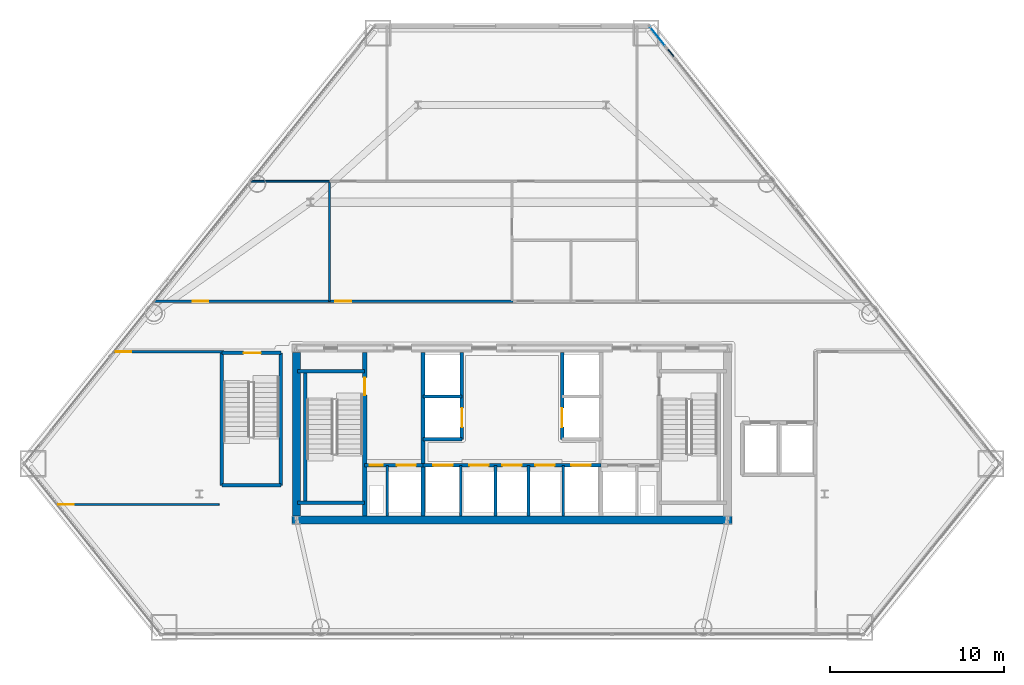
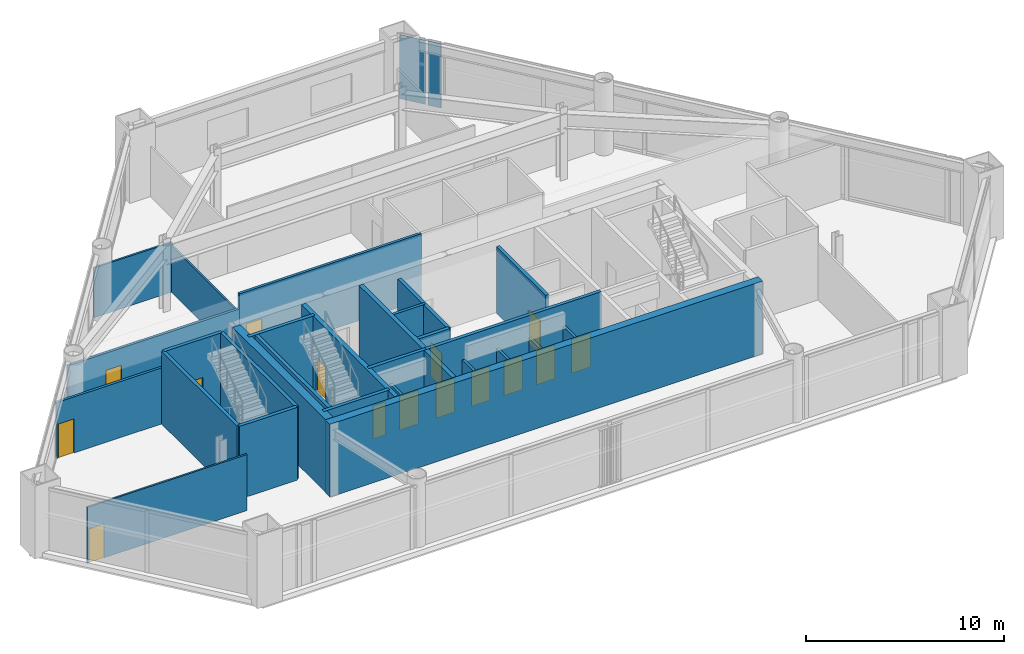
# One storey, part 8 of 13: 28 walls, 15 doors, 2 plates, 15 openings, 2 elements without a shape of their own.
"""IFC4 building model written with IfcOpenShell, lengths in metres."""

from ifc_helpers import new_model, si_unit, direction, frame, frame_2d, origin, origin_2d, place, context, subcontext, project, spatial, rectangle, extrude, source, transform, mapped, material, layer, layer_set, type_object, type_shapes, element, fill, aggregate, save


model = new_model("IFC4")

# Units and contexts
model_context = context("Model", 3, precision=1e-05, world=origin(), true_north=direction((0.0, 1.0)))
body_context = subcontext(model_context, "Body", "Model", "MODEL_VIEW")
ifc_project = project(units=[si_unit("LENGTHUNIT", "METRE"), si_unit("AREAUNIT", "SQUARE_METRE"), si_unit("VOLUMEUNIT", "CUBIC_METRE"), si_unit("PLANEANGLEUNIT", "RADIAN"), si_unit("MASSUNIT", "GRAM", prefix="KILO")], contexts=[model_context])

# Site, building, storey
site_placement = place(None, origin())
site = spatial("IfcSite", under=ifc_project, at=site_placement, CompositionType="ELEMENT")
building_placement = place(site_placement, origin())
building = spatial("IfcBuilding", under=site, at=building_placement, Name="Talgorran Terracotta Tower", CompositionType="ELEMENT")
storey_placement = place(building_placement, frame((0.0, 0.0, 14.39990234375)))
storey = spatial("IfcBuildingStorey", under=building, at=storey_placement, Name="L03", CompositionType="ELEMENT", Elevation=14.39990234375)

# Curtain wall, plate
ifc_material_1 = material(Name="Terracotta and Low-E Glazing", Category="masonry")
ifc_layer_1 = layer(ifc_material_1, 0.219970703125, Name="CW_SYS1_PODIUM")
ifc_layer_set_1 = layer_set([ifc_layer_1], Name="Terracotta and Low-E Glazing")
curtain_wall_type = type_object("IfcCurtainWallType", Name="CW_SYS1_PODIUM", PredefinedType="NOTDEFINED", material=ifc_layer_set_1)
curtain_wall_1_placement = place(storey_placement, origin())
curtain_wall_1 = element("IfcCurtainWall", 1, at=curtain_wall_1_placement, inside=storey, type_object=curtain_wall_type, Name="CW-L03-F3D", PredefinedType="NOTDEFINED")
ifc_material_2 = material(Name="Terracotta Insulated Spandrel", Category="masonry")
ifc_layer_2 = layer(ifc_material_2, 0.06494140625, Name="PLT_SPANDREL_TERRA")
ifc_layer_set_2 = layer_set([ifc_layer_2], Name="Terracotta Insulated Spandrel")
plate_type_1 = type_object("IfcPlateType", Name="PLT_SPANDREL_TERRA", PredefinedType="SHEET", material=ifc_layer_set_2)
shared_shape_1 = source(origin(), body_context, "Body", "SweptSolid", [
    extrude(rectangle(XDim=0.6982421875, YDim=0.06494140625, at=origin_2d()), origin(), (0.0, 0.0, 1.0), 3.949951171875),
])
type_shapes(plate_type_1, [shared_shape_1])
plate_1_placement = place(storey_placement, frame((9.14208984375, 12.79296875, 0.0751953125), z_axis=(0.0, 0.0, 1.0), x_axis=(-0.625140606095, 0.780512154045, 0.0)))
plate_1 = element("IfcPlate", 2, at=plate_1_placement, type_object=plate_type_1, Name="CW-L03-3D panel 1.1", PredefinedType="CURTAIN_PANEL", context=body_context, shape_type="MappedRepresentation", body=[
    mapped(shared_shape_1, transform((0.0, 0.0, 0.0), scale=1.0)),
])
aggregate(curtain_wall_1, [plate_1])

curtain_wall_2_placement = place(storey_placement, origin())
curtain_wall_2 = element("IfcCurtainWall", 3, at=curtain_wall_2_placement, inside=storey, type_object=curtain_wall_type, Name="CW-L03-F3E", PredefinedType="NOTDEFINED")
ifc_material_3 = material(Name="Low-E Laminated Vision Glass", Category="glass")
ifc_layer_3 = layer(ifc_material_3, 0.028076171875, Name="PLT_VISION_28")
ifc_layer_set_3 = layer_set([ifc_layer_3], Name="Low-E Laminated Vision Glass")
plate_type_2 = type_object("IfcPlateType", Name="PLT_VISION_28", PredefinedType="CURTAIN_PANEL", material=ifc_layer_set_3)
shared_shape_2 = source(origin(), body_context, "Body", "SweptSolid", [
    extrude(rectangle(XDim=1.392822265625, YDim=0.028076171875, at=origin_2d()), origin(), (0.0, 0.0, 1.0), 3.949951171875),
])
type_shapes(plate_type_2, [shared_shape_2])
plate_2_placement = place(storey_placement, frame((8.388671875, 13.73388671875, 0.0751953125), z_axis=(0.0, 0.0, 1.0), x_axis=(-0.62513762994, 0.780514537746, 0.0)))
plate_2 = element("IfcPlate", 4, at=plate_2_placement, type_object=plate_type_2, Name="CW-L03-3E panel 1.1", PredefinedType="CURTAIN_PANEL", context=body_context, shape_type="MappedRepresentation", body=[
    mapped(shared_shape_2, transform((0.0, 0.0, 0.0), scale=1.0)),
])
aggregate(curtain_wall_2, [plate_2])

# Walls
ifc_material_4 = material(Name="Concrete C50/60", Category="concrete")
ifc_layer_4 = layer(ifc_material_4, 0.199951171875, Name="WT_CORE_200")
ifc_layer_set_4 = layer_set([ifc_layer_4], Name="Concrete C50/60")
wall_type_1 = type_object("IfcWallType", Name="WT_CORE_200", PredefinedType="SOLIDWALL", material=ifc_layer_set_4)
for number, where, z_axis, x_axis, name in (
    (5, (-12.35009765625, -5.52001953125, 0.0), (0.0, 0.0, 1.0), (1.0, 0.0, 0.0), "WL-L03-CW-ST1-N"),
    (6, (-12.35009765625, -13.10009765625, 0.0), (0.0, 0.0, 1.0), (1.0, 0.0, 0.0), "WL-L03-CW-ST1-S"),
):
    element("IfcWall", number, at=place(storey_placement, frame(where, z_axis=z_axis, x_axis=x_axis)), inside=storey, type_object=wall_type_1, Name=name, PredefinedType="SOLIDWALL", context=body_context, shape_type="SweptSolid", body=[
        extrude(rectangle(XDim=3.8701171875, YDim=0.199951171875, at=frame_2d((1.93505859375, 0.0))), origin(), (0.0, 0.0, 1.0), 4.5),
    ])
wall_1_placement = place(storey_placement, frame((-11.89990234375, -13.10009765625, 0.0), z_axis=(0.0, 0.0, 1.0), x_axis=(0.0, 1.0, 0.0)))
element("IfcWall", 7, at=wall_1_placement, inside=storey, type_object=wall_type_1, Name="WL-L03-CW-ST1-W", PredefinedType="SOLIDWALL", context=body_context, shape_type="SweptSolid", body=[
    extrude(rectangle(XDim=7.580078125, YDim=0.199951171875, at=frame_2d((3.7900390625, 0.0))), origin(), (0.0, 0.0, 1.0), 4.5),
])

# Wall, openings, doors
wall_2_placement = place(storey_placement, frame((-8.47998046875, -10.949951171875, 0.0), z_axis=(0.0, 0.0, 1.0), x_axis=(1.0, 0.0, 0.0)))
wall_2 = element("IfcWall", 8, at=wall_2_placement, inside=storey, type_object=wall_type_1, Name="WL-L03-CW-H-SBW", PredefinedType="SOLIDWALL", context=body_context, shape_type="SweptSolid", body=[
    extrude(rectangle(XDim=3.35986328125, YDim=0.199951171875, at=frame_2d((1.679931640625, 0.0))), origin(), (0.0, 0.0, 1.0), 4.5),
])
opening_1_placement = place(wall_2_placement, frame((0.280029296875, 0.0, 0.0)))
opening_1 = element("IfcOpeningElement", 9, at=opening_1_placement, cuts=wall_2, Name="Opening DR-RSW", PredefinedType="OPENING", context=body_context, shape_type="SweptSolid", body=[
    extrude(rectangle(XDim=0.756, YDim=2.054048828125, at=frame_2d((0.375, 1.027099609375))), frame((0.0, 0.10986328125, 0.0), z_axis=(0.0, -1.0, 0.0), x_axis=(1.0, 0.0, 0.0)), (0.0, 0.0, 1.0), 0.219970703125),
])
opening_2_placement = place(wall_2_placement, frame((1.85009765625, 0.0, 0.0)))
opening_2 = element("IfcOpeningElement", 10, at=opening_2_placement, cuts=wall_2, Name="Opening LD-FFL1", PredefinedType="OPENING", context=body_context, shape_type="SweptSolid", body=[
    extrude(rectangle(XDim=1.10609765625, YDim=2.10409765625, at=frame_2d((0.550048828125, 1.052001953125))), frame((0.0, 0.10986328125, 0.0), z_axis=(0.0, -1.0, 0.0), x_axis=(1.0, 0.0, 0.0)), (0.0, 0.0, 1.0), 0.219970703125),
])
ifc_material_5 = material(Name="Brushed Stainless Steel Grade 304", Category="steel")
door_type_1 = type_object("IfcDoorType", Name="DT_LIFT_LD1100", OperationType="DOUBLE_DOOR_SLIDING", PredefinedType="DOOR", material=ifc_material_5)
door_1_placement = place(opening_2_placement, origin())
door_1 = element("IfcDoor", 11, at=door_1_placement, inside=storey, type_object=door_type_1, Name="L03 Lift Landing Door LD-FFL1", OperationType="DOUBLE_DOOR_SLIDING", OverallHeight=2.10009765625, OverallWidth=1.10009765625, PredefinedType="DOOR", context=body_context, shape_type="SweptSolid", body=[
    extrude(rectangle(XDim=1.10009765625, YDim=2.10009765625, at=frame_2d((0.550048828125, 1.050048828125))), frame((0.0, 0.02490234375, 0.0), z_axis=(0.0, -1.0, 0.0), x_axis=(1.0, 0.0, 0.0)), (0.0, 0.0, 1.0), 0.050048828125),
])
fill(opening_2, door_1)
ifc_material_6 = material(Name="Fire-Rated Pressed Steel", Category="steel")
door_type_2 = type_object("IfcDoorType", Name="DT_RISER_750", OperationType="NOTDEFINED", PredefinedType="DOOR", material=ifc_material_6)
door_2_placement = place(opening_1_placement, origin())
door_2 = element("IfcDoor", 12, at=door_2_placement, inside=storey, type_object=door_type_2, Name="DR-RSW", OperationType="SINGLE_SWING_LEFT", OverallHeight=2.050048828125, OverallWidth=0.75, PredefinedType="DOOR", context=body_context, shape_type="SweptSolid", body=[
    extrude(rectangle(XDim=0.75, YDim=2.050048828125, at=frame_2d((0.375, 1.02490234375))), frame((0.0, 0.02490234375, 0.0), z_axis=(0.0, -1.0, 0.0), x_axis=(1.0, 0.0, 0.0)), (0.0, 0.0, 1.0), 0.050048828125),
])
fill(opening_1, door_2)

wall_3_placement = place(storey_placement, frame((-5.1201171875, -10.949951171875, 0.0), z_axis=(0.0, 0.0, 1.0), x_axis=(1.0, 0.0, 0.0)))
wall_3 = element("IfcWall", 13, at=wall_3_placement, inside=storey, type_object=wall_type_1, Name="WL-L03-CW-H-SBC", PredefinedType="SOLIDWALL", context=body_context, shape_type="SweptSolid", body=[
    extrude(rectangle(XDim=10.240234375, YDim=0.199951171875, at=frame_2d((5.1201171875, 0.0))), origin(), (0.0, 0.0, 1.0), 4.5),
])
opening_3_placement = place(wall_3_placement, frame((0.60009765625, 0.0, 0.0)))
opening_3 = element("IfcOpeningElement", 14, at=opening_3_placement, cuts=wall_3, Name="Opening LD-OB1", PredefinedType="OPENING", context=body_context, shape_type="SweptSolid", body=[
    extrude(rectangle(XDim=1.10609765625, YDim=2.10409765625, at=frame_2d((0.550048828125, 1.052001953125))), frame((0.0, 0.10986328125, 0.0), z_axis=(0.0, -1.0, 0.0), x_axis=(1.0, 0.0, 0.0)), (0.0, 0.0, 1.0), 0.219970703125),
])
opening_4_placement = place(wall_3_placement, frame((2.669921875, 0.0, 0.0)))
opening_4 = element("IfcOpeningElement", 15, at=opening_4_placement, cuts=wall_3, Name="Opening LD-PLH1", PredefinedType="OPENING", context=body_context, shape_type="SweptSolid", body=[
    extrude(rectangle(XDim=1.10609765625, YDim=2.10409765625, at=frame_2d((0.550048828125, 1.052001953125))), frame((0.0, 0.10986328125, 0.0), z_axis=(0.0, -1.0, 0.0), x_axis=(1.0, 0.0, 0.0)), (0.0, 0.0, 1.0), 0.219970703125),
])
opening_5_placement = place(wall_3_placement, frame((4.570068359375, 0.0, 0.0)))
opening_5 = element("IfcOpeningElement", 16, at=opening_5_placement, cuts=wall_3, Name="Opening LD-PLH2", PredefinedType="OPENING", context=body_context, shape_type="SweptSolid", body=[
    extrude(rectangle(XDim=1.10609765625, YDim=2.10409765625, at=frame_2d((0.550048828125, 1.052001953125))), frame((0.0, 0.10986328125, 0.0), z_axis=(0.0, -1.0, 0.0), x_axis=(1.0, 0.0, 0.0)), (0.0, 0.0, 1.0), 0.219970703125),
])
opening_6_placement = place(wall_3_placement, frame((6.469970703125, 0.0, 0.0)))
opening_6 = element("IfcOpeningElement", 17, at=opening_6_placement, cuts=wall_3, Name="Opening LD-PLH3", PredefinedType="OPENING", context=body_context, shape_type="SweptSolid", body=[
    extrude(rectangle(XDim=1.10609765625, YDim=2.10409765625, at=frame_2d((0.550048828125, 1.052001953125))), frame((0.0, 0.10986328125, 0.0), z_axis=(0.0, -1.0, 0.0), x_axis=(1.0, 0.0, 0.0)), (0.0, 0.0, 1.0), 0.219970703125),
])
opening_7_placement = place(wall_3_placement, frame((8.5400390625, 0.0, 0.0)))
opening_7 = element("IfcOpeningElement", 18, at=opening_7_placement, cuts=wall_3, Name="Opening LD-SVL1", PredefinedType="OPENING", context=body_context, shape_type="SweptSolid", body=[
    extrude(rectangle(XDim=1.10609765625, YDim=2.10409765625, at=frame_2d((0.550048828125, 1.052001953125))), frame((0.0, 0.10986328125, 0.0), z_axis=(0.0, -1.0, 0.0), x_axis=(1.0, 0.0, 0.0)), (0.0, 0.0, 1.0), 0.219970703125),
])
door_3_placement = place(opening_3_placement, origin())
door_3 = element("IfcDoor", 19, at=door_3_placement, inside=storey, type_object=door_type_1, Name="L03 Lift Landing Door LD-OB1", OperationType="DOUBLE_DOOR_SLIDING", OverallHeight=2.10009765625, OverallWidth=1.10009765625, PredefinedType="DOOR", context=body_context, shape_type="SweptSolid", body=[
    extrude(rectangle(XDim=1.10009765625, YDim=2.10009765625, at=frame_2d((0.550048828125, 1.050048828125))), frame((0.0, 0.02490234375, 0.0), z_axis=(0.0, -1.0, 0.0), x_axis=(1.0, 0.0, 0.0)), (0.0, 0.0, 1.0), 0.050048828125),
])
fill(opening_3, door_3)
door_4_placement = place(opening_4_placement, origin())
door_4 = element("IfcDoor", 20, at=door_4_placement, inside=storey, type_object=door_type_1, Name="L03 Lift Landing Door LD-PLH1", OperationType="DOUBLE_DOOR_SLIDING", OverallHeight=2.10009765625, OverallWidth=1.10009765625, PredefinedType="DOOR", context=body_context, shape_type="SweptSolid", body=[
    extrude(rectangle(XDim=1.10009765625, YDim=2.10009765625, at=frame_2d((0.550048828125, 1.050048828125))), frame((0.0, 0.02490234375, 0.0), z_axis=(0.0, -1.0, 0.0), x_axis=(1.0, 0.0, 0.0)), (0.0, 0.0, 1.0), 0.050048828125),
])
fill(opening_4, door_4)
door_5_placement = place(opening_5_placement, origin())
door_5 = element("IfcDoor", 21, at=door_5_placement, inside=storey, type_object=door_type_1, Name="L03 Lift Landing Door LD-PLH2", OperationType="DOUBLE_DOOR_SLIDING", OverallHeight=2.10009765625, OverallWidth=1.10009765625, PredefinedType="DOOR", context=body_context, shape_type="SweptSolid", body=[
    extrude(rectangle(XDim=1.10009765625, YDim=2.10009765625, at=frame_2d((0.550048828125, 1.050048828125))), frame((0.0, 0.02490234375, 0.0), z_axis=(0.0, -1.0, 0.0), x_axis=(1.0, 0.0, 0.0)), (0.0, 0.0, 1.0), 0.050048828125),
])
fill(opening_5, door_5)
door_6_placement = place(opening_6_placement, origin())
door_6 = element("IfcDoor", 22, at=door_6_placement, inside=storey, type_object=door_type_1, Name="L03 Lift Landing Door LD-PLH3", OperationType="DOUBLE_DOOR_SLIDING", OverallHeight=2.10009765625, OverallWidth=1.10009765625, PredefinedType="DOOR", context=body_context, shape_type="SweptSolid", body=[
    extrude(rectangle(XDim=1.10009765625, YDim=2.10009765625, at=frame_2d((0.550048828125, 1.050048828125))), frame((0.0, 0.02490234375, 0.0), z_axis=(0.0, -1.0, 0.0), x_axis=(1.0, 0.0, 0.0)), (0.0, 0.0, 1.0), 0.050048828125),
])
fill(opening_6, door_6)
door_7_placement = place(opening_7_placement, origin())
door_7 = element("IfcDoor", 23, at=door_7_placement, inside=storey, type_object=door_type_1, Name="L03 Lift Landing Door LD-SVL1", OperationType="DOUBLE_DOOR_SLIDING", OverallHeight=2.10009765625, OverallWidth=1.10009765625, PredefinedType="DOOR", context=body_context, shape_type="SweptSolid", body=[
    extrude(rectangle(XDim=1.10009765625, YDim=2.10009765625, at=frame_2d((0.550048828125, 1.050048828125))), frame((0.0, 0.02490234375, 0.0), z_axis=(0.0, -1.0, 0.0), x_axis=(1.0, 0.0, 0.0)), (0.0, 0.0, 1.0), 0.050048828125),
])
fill(opening_7, door_7)

# Wall, opening, door
wall_4_placement = place(storey_placement, frame((-2.8798828125, -9.449951171875, 0.0), z_axis=(0.0, 0.0, 1.0), x_axis=(0.0, 1.0, 0.0)))
wall_4 = element("IfcWall", 24, at=wall_4_placement, inside=storey, type_object=wall_type_1, Name="WL-L03-CW-V-W3", PredefinedType="SOLIDWALL", context=body_context, shape_type="SweptSolid", body=[
    extrude(rectangle(XDim=5.0, YDim=0.199951171875, at=frame_2d((2.5, 0.0))), origin(), (0.0, 0.0, 1.0), 4.10009765625),
])
opening_8_placement = place(wall_4_placement, frame((0.699951171875, 0.0, 0.0)))
opening_8 = element("IfcOpeningElement", 25, at=opening_8_placement, cuts=wall_4, Name="Opening LD-PLL1", PredefinedType="OPENING", context=body_context, shape_type="SweptSolid", body=[
    extrude(rectangle(XDim=1.10609765625, YDim=2.10409765625, at=frame_2d((0.550048828125, 1.052001953125))), frame((0.0, 0.10986328125, 0.0), z_axis=(0.0, -1.0, 0.0), x_axis=(1.0, 0.0, 0.0)), (0.0, 0.0, 1.0), 0.219970703125),
])
door_8_placement = place(opening_8_placement, origin())
door_8 = element("IfcDoor", 26, at=door_8_placement, inside=storey, type_object=door_type_1, Name="L03 Lift Landing Door LD-PLL1", OperationType="DOUBLE_DOOR_SLIDING", OverallHeight=2.10009765625, OverallWidth=1.10009765625, PredefinedType="DOOR", context=body_context, shape_type="SweptSolid", body=[
    extrude(rectangle(XDim=1.10009765625, YDim=2.10009765625, at=frame_2d((0.550048828125, 1.050048828125))), frame((0.0, 0.02490234375, 0.0), z_axis=(0.0, -1.0, 0.0), x_axis=(1.0, 0.0, 0.0)), (0.0, 0.0, 1.0), 0.050048828125),
])
fill(opening_8, door_8)

# Wall
wall_5_placement = place(storey_placement, frame((-5.1201171875, -9.449951171875, 0.0), z_axis=(0.0, 0.0, 1.0), x_axis=(1.0, 0.0, 0.0)))
element("IfcWall", 27, at=wall_5_placement, inside=storey, type_object=wall_type_1, Name="WL-L03-CW-H-W4", PredefinedType="SOLIDWALL", context=body_context, shape_type="SweptSolid", body=[
    extrude(rectangle(XDim=2.240234375, YDim=0.199951171875, at=frame_2d((1.1201171875, 0.0))), origin(), (0.0, 0.0, 1.0), 4.10009765625),
])

# Wall, opening, door
wall_6_placement = place(storey_placement, frame((2.8798828125, -9.449951171875, 0.0), z_axis=(0.0, 0.0, 1.0), x_axis=(0.0, 1.0, 0.0)))
wall_6 = element("IfcWall", 28, at=wall_6_placement, inside=storey, type_object=wall_type_1, Name="WL-L03-CW-V-E3", PredefinedType="SOLIDWALL", context=body_context, shape_type="SweptSolid", body=[
    extrude(rectangle(XDim=5.0, YDim=0.199951171875, at=frame_2d((2.5, 0.0))), origin(), (0.0, 0.0, 1.0), 4.10009765625),
])
opening_9_placement = place(wall_6_placement, frame((0.699951171875, 0.0, 0.0)))
opening_9 = element("IfcOpeningElement", 29, at=opening_9_placement, cuts=wall_6, Name="Opening LD-PLM1", PredefinedType="OPENING", context=body_context, shape_type="SweptSolid", body=[
    extrude(rectangle(XDim=1.10609765625, YDim=2.10409765625, at=frame_2d((0.550048828125, 1.052001953125))), frame((0.0, 0.10986328125, 0.0), z_axis=(0.0, -1.0, 0.0), x_axis=(1.0, 0.0, 0.0)), (0.0, 0.0, 1.0), 0.219970703125),
])
door_9_placement = place(opening_9_placement, origin())
door_9 = element("IfcDoor", 30, at=door_9_placement, inside=storey, type_object=door_type_1, Name="L03 Lift Landing Door LD-PLM1", OperationType="DOUBLE_DOOR_SLIDING", OverallHeight=2.10009765625, OverallWidth=1.10009765625, PredefinedType="DOOR", context=body_context, shape_type="SweptSolid", body=[
    extrude(rectangle(XDim=1.10009765625, YDim=2.10009765625, at=frame_2d((0.550048828125, 1.050048828125))), frame((0.0, 0.02490234375, 0.0), z_axis=(0.0, -1.0, 0.0), x_axis=(1.0, 0.0, 0.0)), (0.0, 0.0, 1.0), 0.050048828125),
])
fill(opening_9, door_9)

# Walls
for number, where, z_axis, x_axis, name in (
    (31, (-16.699951171875, -12.10009765625, 0.0), (0.0, 0.0, 1.0), (0.0, 1.0, 0.0), "WL-L03-PW-ST3-W"),
    (32, (-13.300048828125, -12.10009765625, 0.0), (0.0, 0.0, 1.0), (0.0, 1.0, 0.0), "WL-L03-PW-ST3-E"),
):
    element("IfcWall", number, at=place(storey_placement, frame(where, z_axis=z_axis, x_axis=x_axis)), inside=storey, type_object=wall_type_1, Name=name, PredefinedType="SOLIDWALL", context=body_context, shape_type="SweptSolid", body=[
        extrude(rectangle(XDim=7.6201171875, YDim=0.199951171875, at=frame_2d((3.81005859375, 0.0))), origin(), (0.0, 0.0, 1.0), 4.5),
    ])
wall_7_placement = place(storey_placement, frame((-16.699951171875, -12.10009765625, 0.0), z_axis=(0.0, 0.0, 1.0), x_axis=(1.0, 0.0, 0.0)))
element("IfcWall", 33, at=wall_7_placement, inside=storey, type_object=wall_type_1, Name="WL-L03-PW-ST3-S", PredefinedType="SOLIDWALL", context=body_context, shape_type="SweptSolid", body=[
    extrude(rectangle(XDim=3.39990234375, YDim=0.199951171875, at=frame_2d((1.699951171875, 0.0))), origin(), (0.0, 0.0, 1.0), 4.5),
])

# Wall, opening, door
wall_8_placement = place(storey_placement, frame((-16.699951171875, -4.47998046875, 0.0), z_axis=(0.0, 0.0, 1.0), x_axis=(1.0, 0.0, 0.0)))
wall_8 = element("IfcWall", 34, at=wall_8_placement, inside=storey, type_object=wall_type_1, Name="WL-L03-PW-ST3-N", PredefinedType="SOLIDWALL", context=body_context, shape_type="SweptSolid", body=[
    extrude(rectangle(XDim=3.39990234375, YDim=0.199951171875, at=frame_2d((1.699951171875, 0.0))), origin(), (0.0, 0.0, 1.0), 4.5),
])
opening_10_placement = place(wall_8_placement, frame((1.25, 0.0, 0.0)))
opening_10 = element("IfcOpeningElement", 35, at=opening_10_placement, cuts=wall_8, Name="Opening DR-ST03", PredefinedType="OPENING", context=body_context, shape_type="SweptSolid", body=[
    extrude(rectangle(XDim=1.006, YDim=2.10409765625, at=frame_2d((0.5, 1.052001953125))), frame((0.0, 0.10986328125, 0.0), z_axis=(0.0, -1.0, 0.0), x_axis=(1.0, 0.0, 0.0)), (0.0, 0.0, 1.0), 0.219970703125),
])
door_type_3 = type_object("IfcDoorType", Name="DT_FIRE_1000", OperationType="NOTDEFINED", PredefinedType="DOOR", material=ifc_material_6)
door_10_placement = place(opening_10_placement, origin())
door_10 = element("IfcDoor", 36, at=door_10_placement, inside=storey, type_object=door_type_3, Name="DR-ST03", OperationType="SINGLE_SWING_LEFT", OverallHeight=2.10009765625, OverallWidth=1.0, PredefinedType="DOOR", context=body_context, shape_type="SweptSolid", body=[
    extrude(rectangle(XDim=1.0, YDim=2.10009765625, at=frame_2d((0.5, 1.050048828125))), frame((0.0, 0.02490234375, 0.0), z_axis=(0.0, -1.0, 0.0), x_axis=(1.0, 0.0, 0.0)), (0.0, 0.0, 1.0), 0.050048828125),
])
fill(opening_10, door_10)

ifc_layer_5 = layer(ifc_material_4, 0.25, Name="WT_CORE_250")
ifc_layer_set_5 = layer_set([ifc_layer_5], Name="Concrete C50/60")
wall_type_2 = type_object("IfcWallType", Name="WT_CORE_250", PredefinedType="SHEAR", material=ifc_layer_set_5)
wall_9_placement = place(storey_placement, frame((-8.47998046875, -13.85009765625, 0.0), z_axis=(0.0, 0.0, 1.0), x_axis=(0.0, 1.0, 0.0)))
wall_9 = element("IfcWall", 37, at=wall_9_placement, inside=storey, type_object=wall_type_2, Name="WL-L03-CW-V-W1", PredefinedType="SHEAR", context=body_context, shape_type="SweptSolid", body=[
    extrude(rectangle(XDim=9.400146484375, YDim=0.25, at=frame_2d((4.7001953125, 0.0))), origin(), (0.0, 0.0, 1.0), 4.5),
])
opening_11_placement = place(wall_9_placement, frame((6.949951171875, 0.0, 0.0)))
opening_11 = element("IfcOpeningElement", 38, at=opening_11_placement, cuts=wall_9, Name="Opening DR-ST01", PredefinedType="OPENING", context=body_context, shape_type="SweptSolid", body=[
    extrude(rectangle(XDim=1.006, YDim=2.10409765625, at=frame_2d((0.5, 1.052001953125))), frame((0.0, 0.135009765625, 0.0), z_axis=(0.0, -1.0, 0.0), x_axis=(1.0, 0.0, 0.0)), (0.0, 0.0, 1.0), 0.27001953125),
])
door_11_placement = place(opening_11_placement, origin())
door_11 = element("IfcDoor", 39, at=door_11_placement, inside=storey, type_object=door_type_3, Name="DR-ST01", OperationType="SINGLE_SWING_LEFT", OverallHeight=2.10009765625, OverallWidth=1.0, PredefinedType="DOOR", context=body_context, shape_type="SweptSolid", body=[
    extrude(rectangle(XDim=1.0, YDim=2.10009765625, at=frame_2d((0.5, 1.050048828125))), frame((0.0, 0.02490234375, 0.0), z_axis=(0.0, -1.0, 0.0), x_axis=(1.0, 0.0, 0.0)), (0.0, 0.0, 1.0), 0.050048828125),
])
fill(opening_11, door_11)

# Walls
wall_10_placement = place(storey_placement, frame((-5.1201171875, -13.85009765625, 0.0), z_axis=(0.0, 0.0, 1.0), x_axis=(0.0, 1.0, 0.0)))
element("IfcWall", 40, at=wall_10_placement, inside=storey, type_object=wall_type_2, Name="WL-L03-CW-V-W2", PredefinedType="SHEAR", context=body_context, shape_type="SweptSolid", body=[
    extrude(rectangle(XDim=9.400146484375, YDim=0.25, at=frame_2d((4.7001953125, 0.0))), origin(), (0.0, 0.0, 1.0), 4.5),
])
ifc_material_7 = material(Name="Concrete C65/80", Category="concrete")
ifc_layer_6 = layer(ifc_material_7, 0.449951171875, Name="WT_CORE_EXT")
ifc_layer_set_6 = layer_set([ifc_layer_6], Name="Concrete C65/80")
wall_type_3 = type_object("IfcWallType", Name="WT_CORE_EXT", PredefinedType="SHEAR", material=ifc_layer_set_6)
wall_11_placement = place(storey_placement, frame((-12.64990234375, -14.10009765625, 0.0), z_axis=(0.0, 0.0, 1.0), x_axis=(1.0, 0.0, 0.0)))
element("IfcWall", 41, at=wall_11_placement, inside=storey, type_object=wall_type_3, Name="WL-L03-CW-OUT-S", PredefinedType="SHEAR", context=body_context, shape_type="SweptSolid", body=[
    extrude(rectangle(XDim=25.2998046875, YDim=0.449951171875, at=frame_2d((12.64990234375, 0.0))), origin(), (0.0, 0.0, 1.0), 4.5),
])
wall_12_placement = place(storey_placement, frame((-12.39990234375, -13.85009765625, 0.0), z_axis=(0.0, 0.0, 1.0), x_axis=(0.0, 1.0, 0.0)))
element("IfcWall", 42, at=wall_12_placement, inside=storey, type_object=wall_type_3, Name="WL-L03-CW-OUT-W", PredefinedType="SHEAR", context=body_context, shape_type="SweptSolid", body=[
    extrude(rectangle(XDim=9.400146484375, YDim=0.449951171875, at=frame_2d((4.7001953125, 0.0))), origin(), (0.0, 0.0, 1.0), 4.5),
])

# Wall, opening, door
ifc_material_8 = material(Name="Fire-Rated Steel Stud Plasterboard", Category="steel")
ifc_layer_7 = layer(ifc_material_8, 0.14990234375, Name="WT_FIRE_150")
ifc_layer_set_7 = layer_set([ifc_layer_7], Name="Fire-Rated Steel Stud Plasterboard")
wall_type_4 = type_object("IfcWallType", Name="WT_FIRE_150", PredefinedType="PARTITIONING", material=ifc_layer_set_7)
wall_13_placement = place(storey_placement, frame((-10.56005859375, -1.5, 0.0), z_axis=(0.0, 0.0, 1.0), x_axis=(1.0, 0.0, 0.0)))
wall_13 = element("IfcWall", 43, at=wall_13_placement, inside=storey, type_object=wall_type_4, Name="WL-L03-W-L03-R05", PredefinedType="PARTITIONING", context=body_context, shape_type="SweptSolid", body=[
    extrude(rectangle(XDim=10.6201171875, YDim=0.14990234375, at=frame_2d((5.31005859375, 0.0))), origin(), (0.0, 0.0, 1.0), 4.10009765625),
])
opening_12_placement = place(wall_13_placement, frame((0.398681640625, 0.0, 0.0)))
opening_12 = element("IfcOpeningElement", 44, at=opening_12_placement, cuts=wall_13, Name="Opening DR-L03-R05", PredefinedType="OPENING", context=body_context, shape_type="SweptSolid", body=[
    extrude(rectangle(XDim=0.90590234375, YDim=2.10409765625, at=frame_2d((0.449951171875, 1.052001953125))), frame((0.0, 0.0849609375, 0.0), z_axis=(0.0, -1.0, 0.0), x_axis=(1.0, 0.0, 0.0)), (0.0, 0.0, 1.0), 0.169921875),
])
ifc_material_9 = material(Name="Fire-Rated Timber Core", Category="wood")
door_type_4 = type_object("IfcDoorType", Name="DT_FIRE_900", OperationType="NOTDEFINED", PredefinedType="DOOR", material=ifc_material_9)
door_12_placement = place(opening_12_placement, origin())
door_12 = element("IfcDoor", 45, at=door_12_placement, inside=storey, type_object=door_type_4, Name="DR-L03-R05", OperationType="SINGLE_SWING_LEFT", OverallHeight=2.10009765625, OverallWidth=0.89990234375, PredefinedType="DOOR", context=body_context, shape_type="SweptSolid", body=[
    extrude(rectangle(XDim=0.89990234375, YDim=2.10009765625, at=frame_2d((0.449951171875, 1.050048828125))), frame((0.0, 0.02490234375, 0.0), z_axis=(0.0, -1.0, 0.0), x_axis=(1.0, 0.0, 0.0)), (0.0, 0.0, 1.0), 0.050048828125),
])
fill(opening_12, door_12)

wall_14_placement = place(storey_placement, frame((-20.589111328125, -1.5, 0.0), z_axis=(0.0, 0.0, 1.0), x_axis=(1.0, 0.0, 0.0)))
wall_14 = element("IfcWall", 46, at=wall_14_placement, inside=storey, type_object=wall_type_4, Name="WL-L03-W-L03-R04", PredefinedType="PARTITIONING", context=body_context, shape_type="SweptSolid", body=[
    extrude(rectangle(XDim=10.027099609375, YDim=0.14990234375, at=frame_2d((5.013671875, 0.0))), origin(), (0.0, 0.0, 1.0), 3.1669921875),
])
opening_13_placement = place(wall_14_placement, frame((2.217529296875, 0.0, 0.0)))
opening_13 = element("IfcOpeningElement", 47, at=opening_13_placement, cuts=wall_14, Name="Opening DR-L03-R04", PredefinedType="OPENING", context=body_context, shape_type="SweptSolid", body=[
    extrude(rectangle(XDim=0.90590234375, YDim=2.10409765625, at=frame_2d((0.449951171875, 1.052001953125))), frame((0.0, 0.0849609375, 0.0), z_axis=(0.0, -1.0, 0.0), x_axis=(1.0, 0.0, 0.0)), (0.0, 0.0, 1.0), 0.169921875),
])
door_13_placement = place(opening_13_placement, origin())
door_13 = element("IfcDoor", 48, at=door_13_placement, inside=storey, type_object=door_type_4, Name="DR-L03-R04", OperationType="SINGLE_SWING_RIGHT", OverallHeight=2.10009765625, OverallWidth=0.89990234375, PredefinedType="DOOR", context=body_context, shape_type="SweptSolid", body=[
    extrude(rectangle(XDim=0.89990234375, YDim=2.10009765625, at=frame_2d((0.449951171875, 1.050048828125))), frame((0.0, 0.02490234375, 0.0), z_axis=(0.0, -1.0, 0.0), x_axis=(1.0, 0.0, 0.0)), (0.0, 0.0, 1.0), 0.050048828125),
])
fill(opening_13, door_13)

wall_15_placement = place(storey_placement, frame((-22.911865234375, -4.39990234375, 0.0), z_axis=(0.0, 0.0, 1.0), x_axis=(1.0, 0.0, 0.0)))
wall_15 = element("IfcWall", 49, at=wall_15_placement, inside=storey, type_object=wall_type_4, Name="WL-L03-W-L03-R01", PredefinedType="PARTITIONING", context=body_context, shape_type="SweptSolid", body=[
    extrude(rectangle(XDim=6.331787109375, YDim=0.14990234375, at=frame_2d((3.166015625, 0.0))), origin(), (0.0, 0.0, 1.0), 3.46337890625),
])
opening_14_placement = place(wall_15_placement, frame((0.10009765625, 0.0, 0.0)))
opening_14 = element("IfcOpeningElement", 50, at=opening_14_placement, cuts=wall_15, Name="Opening DR-L03-R13", PredefinedType="OPENING", context=body_context, shape_type="SweptSolid", body=[
    extrude(rectangle(XDim=0.90590234375, YDim=2.10409765625, at=frame_2d((0.449951171875, 1.052001953125))), frame((0.0, 0.0849609375, 0.0), z_axis=(0.0, -1.0, 0.0), x_axis=(1.0, 0.0, 0.0)), (0.0, 0.0, 1.0), 0.169921875),
])
door_14_placement = place(opening_14_placement, origin())
door_14 = element("IfcDoor", 51, at=door_14_placement, inside=storey, type_object=door_type_4, Name="DR-L03-R13", OperationType="SINGLE_SWING_LEFT", OverallHeight=2.10009765625, OverallWidth=0.89990234375, PredefinedType="DOOR", context=body_context, shape_type="SweptSolid", body=[
    extrude(rectangle(XDim=0.89990234375, YDim=2.10009765625, at=frame_2d((0.449951171875, 1.050048828125))), frame((0.0, 0.02490234375, 0.0), z_axis=(0.0, -1.0, 0.0), x_axis=(1.0, 0.0, 0.0)), (0.0, 0.0, 1.0), 0.050048828125),
])
fill(opening_14, door_14)

ifc_material_10 = material(Name="Lightweight Steel Stud Partition", Category="steel")
ifc_layer_8 = layer(ifc_material_10, 0.10498046875, Name="WT_PART_110")
ifc_layer_set_8 = layer_set([ifc_layer_8], Name="Lightweight Steel Stud Partition")
wall_type_5 = type_object("IfcWallType", Name="WT_PART_110", PredefinedType="PARTITIONING", material=ifc_layer_set_8)
wall_16_placement = place(storey_placement, frame((-26.205078125, -13.199951171875, 0.0), z_axis=(0.0, 0.0, 1.0), x_axis=(1.0, 0.0, 0.0)))
wall_16 = element("IfcWall", 52, at=wall_16_placement, inside=storey, type_object=wall_type_5, Name="WL-L03-W-L03-R09", PredefinedType="PARTITIONING", context=body_context, shape_type="SweptSolid", body=[
    extrude(rectangle(XDim=9.344970703125, YDim=0.10498046875, at=frame_2d((4.67236328125, 0.0))), origin(), (0.0, 0.0, 1.0), 3.46337890625),
])
opening_15_placement = place(wall_16_placement, frame((0.10009765625, 0.0, 0.0)))
opening_15 = element("IfcOpeningElement", 53, at=opening_15_placement, cuts=wall_16, Name="Opening DR-L03-R01", PredefinedType="OPENING", context=body_context, shape_type="SweptSolid", body=[
    extrude(rectangle(XDim=0.8858828125, YDim=2.10409765625, at=frame_2d((0.43994140625, 1.052001953125))), frame((0.0, 0.0625, 0.0), z_axis=(0.0, -1.0, 0.0), x_axis=(1.0, 0.0, 0.0)), (0.0, 0.0, 1.0), 0.125),
])
ifc_material_11 = material(Name="Solid-Core Painted Timber", Category="wood")
door_type_5 = type_object("IfcDoorType", Name="DT_INT_880", OperationType="NOTDEFINED", PredefinedType="DOOR", material=ifc_material_11)
door_15_placement = place(opening_15_placement, origin())
door_15 = element("IfcDoor", 54, at=door_15_placement, inside=storey, type_object=door_type_5, Name="DR-L03-R01", OperationType="SINGLE_SWING_LEFT", OverallHeight=2.10009765625, OverallWidth=0.8798828125, PredefinedType="DOOR", context=body_context, shape_type="SweptSolid", body=[
    extrude(rectangle(XDim=0.8798828125, YDim=2.10009765625, at=frame_2d((0.43994140625, 1.050048828125))), frame((0.0, 0.02490234375, 0.0), z_axis=(0.0, -1.0, 0.0), x_axis=(1.0, 0.0, 0.0)), (0.0, 0.0, 1.0), 0.050048828125),
])
fill(opening_15, door_15)

# Walls
wall_17_placement = place(storey_placement, frame((-10.5, -1.5, 0.0), z_axis=(0.0, 0.0, 1.0), x_axis=(0.0, 1.0, 0.0)))
element("IfcWall", 55, at=wall_17_placement, inside=storey, type_object=wall_type_5, Name="WL-L03-W-L03-R11", PredefinedType="PARTITIONING", context=body_context, shape_type="SweptSolid", body=[
    extrude(rectangle(XDim=6.89990234375, YDim=0.10498046875, at=frame_2d((3.449951171875, 0.0))), origin(), (0.0, 0.0, 1.0), 2.875),
])
wall_18_placement = place(storey_placement, frame((-15.06298828125, 5.39990234375, 0.0), z_axis=(0.0, 0.0, 1.0), x_axis=(1.0, 0.0, 0.0)))
element("IfcWall", 56, at=wall_18_placement, inside=storey, type_object=wall_type_5, Name="WL-L03-W-L03-R12", PredefinedType="PARTITIONING", context=body_context, shape_type="SweptSolid", body=[
    extrude(rectangle(XDim=4.56298828125, YDim=0.10498046875, at=frame_2d((2.281494140625, 0.0))), origin(), (0.0, 0.0, 1.0), 3.0751953125),
])
ifc_material_12 = material(Name="Fire-Rated Shaftwall")
ifc_layer_9 = layer(ifc_material_12, 0.159912109375, Name="WT_PART_150")
ifc_layer_set_9 = layer_set([ifc_layer_9], Name="Fire-Rated Shaftwall")
wall_type_6 = type_object("IfcWallType", Name="WT_PART_150", PredefinedType="PARTITIONING", material=ifc_layer_set_9)
wall_19_placement = place(storey_placement, frame((-5.1201171875, -6.97998046875, 0.0), z_axis=(0.0, 0.0, 1.0), x_axis=(1.0, 0.0, 0.0)))
element("IfcWall", 57, at=wall_19_placement, inside=storey, type_object=wall_type_6, Name="WL-L03-CW-PLL-DIV", PredefinedType="PARTITIONING", context=body_context, shape_type="SweptSolid", body=[
    extrude(rectangle(XDim=2.240234375, YDim=0.159912109375, at=frame_2d((1.1201171875, 0.0))), origin(), (0.0, 0.0, 1.0), 4.10009765625),
])
for number, where, z_axis, x_axis, name in (
    (58, (-7.179931640625, -13.85009765625, 0.0), (0.0, 0.0, 1.0), (0.0, 1.0, 0.0), "WL-L03-CW-RSW"),
    (59, (-2.949951171875, -13.85009765625, 0.0), (0.0, 0.0, 1.0), (0.0, 1.0, 0.0), "WL-L03-CW-OB-E"),
    (60, (2.949951171875, -13.85009765625, 0.0), (0.0, 0.0, 1.0), (0.0, 1.0, 0.0), "WL-L03-CW-SV-W"),
    (61, (-0.949951171875, -13.85009765625, 0.0), (0.0, 0.0, 1.0), (0.0, 1.0, 0.0), "WL-L03-CW-PLH-D1"),
    (62, (0.949951171875, -13.85009765625, 0.0), (0.0, 0.0, 1.0), (0.0, 1.0, 0.0), "WL-L03-CW-PLH-D2"),
):
    element("IfcWall", number, at=place(storey_placement, frame(where, z_axis=z_axis, x_axis=x_axis)), inside=storey, type_object=wall_type_6, Name=name, PredefinedType="PARTITIONING", context=body_context, shape_type="SweptSolid", body=[
        extrude(rectangle(XDim=2.900146484375, YDim=0.159912109375, at=frame_2d((1.4501953125, 0.0))), origin(), (0.0, 0.0, 1.0), 3.125),
    ])

save(model, "model.ifc")
